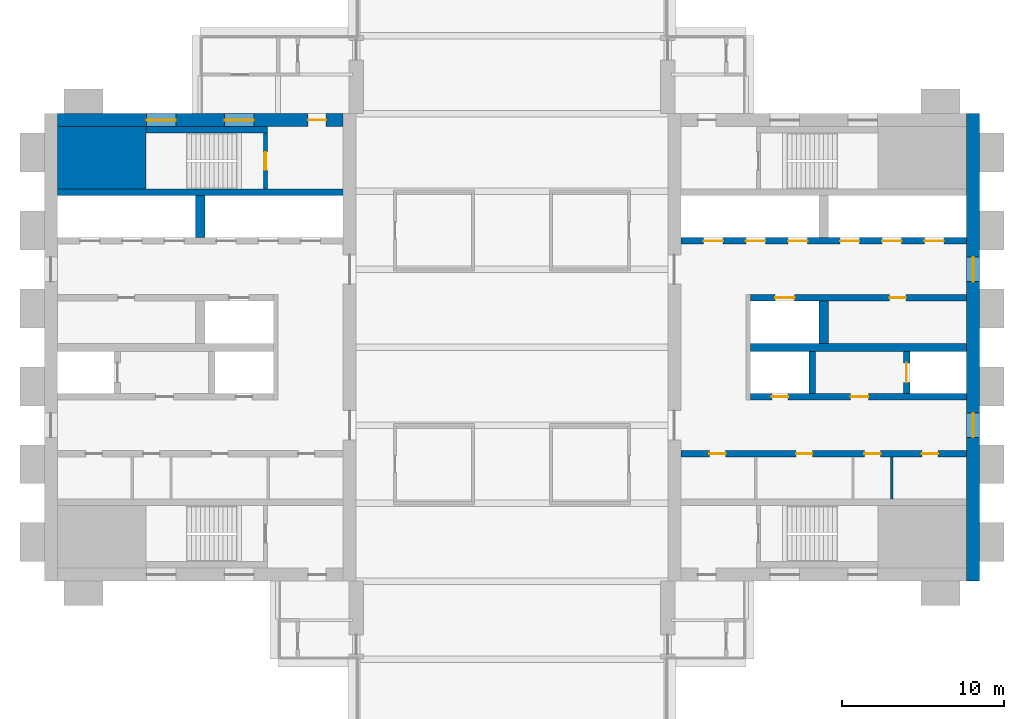
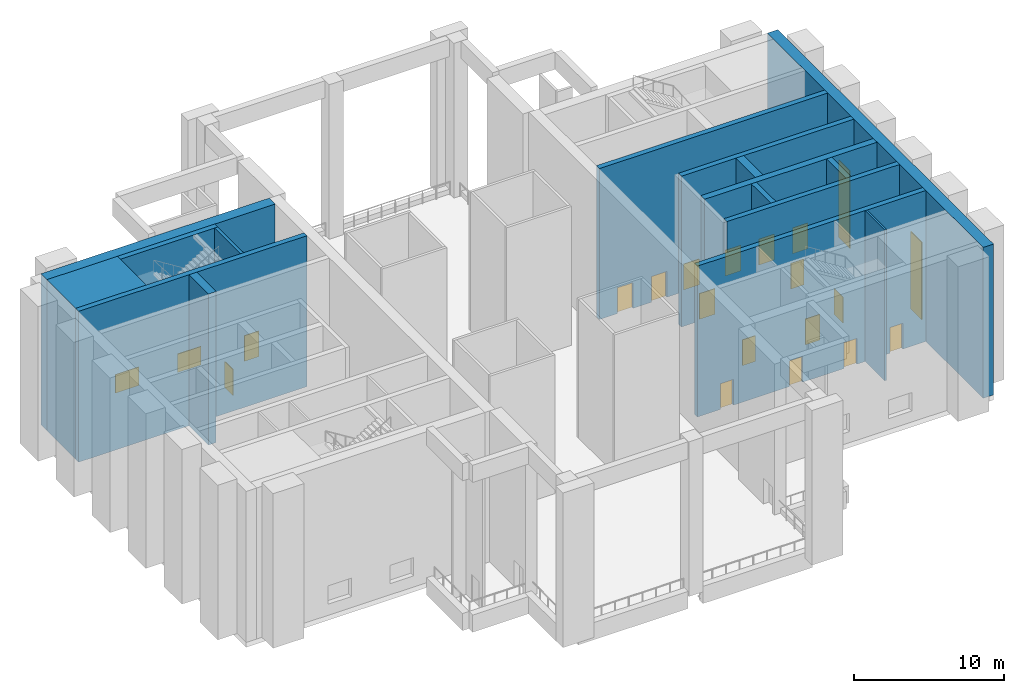
# One storey, part 4 of 8: 17 doors, 16 walls, 4 windows, 21 openings.
"""IFC4 building model written with IfcOpenShell, lengths in metres."""

from ifc_helpers import new_model, si_unit, direction, frame, frame_2d, origin, place, context, subcontext, project, spatial, rectangle, extrude, material, layer, layer_set, type_object, element, fill, save


model = new_model("IFC4")

# Units and contexts
model_context = context("Model", 3, precision=1e-05, world=origin(), true_north=direction((0.0, 1.0)))
body_context = subcontext(model_context, "Body", "Model", "MODEL_VIEW")
ifc_project = project(units=[si_unit("LENGTHUNIT", "METRE"), si_unit("AREAUNIT", "SQUARE_METRE"), si_unit("VOLUMEUNIT", "CUBIC_METRE"), si_unit("PLANEANGLEUNIT", "RADIAN"), si_unit("MASSUNIT", "GRAM", prefix="KILO")], contexts=[model_context])

# Site, building, storey
site_placement = place(None, origin())
site = spatial("IfcSite", under=ifc_project, at=site_placement, CompositionType="ELEMENT")
building_placement = place(site_placement, origin())
building = spatial("IfcBuilding", under=site, at=building_placement, Name="Baori Bourse Tower", CompositionType="ELEMENT")
storey_placement = place(building_placement, frame((0.0, 0.0, 269.699951171875)))
storey = spatial("IfcBuildingStorey", under=building, at=storey_placement, Name="L60", CompositionType="ELEMENT", Elevation=269.699951171875)

# Walls
ifc_material_1 = material(Name="Concrete f'c 50 MPa", Category="concrete")
wall_type_1 = type_object("IfcWallType", Name="Core corner block f'c 50", PredefinedType="SHEAR", material=ifc_material_1)
wall_1_placement = place(storey_placement, frame((0.800048828125, 35.675048828125, 0.0), z_axis=(0.0, 0.0, 1.0), x_axis=(1.0, 0.0, 0.0)))
element("IfcWall", 1, at=wall_1_placement, inside=storey, type_object=wall_type_1, Name="Core wall W22", PredefinedType="SHEAR", context=body_context, shape_type="SweptSolid", body=[
    extrude(rectangle(XDim=5.449951171875, YDim=3.85009765625, at=frame_2d((2.72509765625, 0.0))), origin(), (0.0, 0.0, 1.0), 12.300048828125),
])
ifc_material_2 = material(Name="Blockwork partition", Category="masonry")
ifc_layer_1 = layer(ifc_material_2, 0.14990234375)
ifc_layer_set_1 = layer_set([ifc_layer_1], Name="Core partition 150")
wall_type_2 = type_object("IfcWallType", Name="Core partition 150", PredefinedType="PARTITIONING", material=ifc_layer_set_1)
wall_2_placement = place(storey_placement, frame((52.199951171875, 14.64990234375, 0.0), z_axis=(0.0, 0.0, 1.0), x_axis=(0.0, 1.0, 0.0)))
element("IfcWall", 2, at=wall_2_placement, inside=storey, type_object=wall_type_2, Name="Partition wall E08", PredefinedType="PARTITIONING", context=body_context, shape_type="SweptSolid", body=[
    extrude(rectangle(XDim=2.60009765625, YDim=0.14990234375, at=frame_2d((1.300048828125, 0.0))), origin(), (0.0, 0.0, 1.0), 12.300048828125),
])

# Wall, openings, door, windows
ifc_material_3 = material(Name="Concrete f'c 50 MPa", Category="concrete")
ifc_layer_2 = layer(ifc_material_3, 0.800048828125)
ifc_layer_set_2 = layer_set([ifc_layer_2], Name="Core wall 800 f'c 50")
wall_type_3 = type_object("IfcWallType", Name="Core wall 800 f'c 50", PredefinedType="SHEAR", material=ifc_layer_set_2)
wall_3_placement = place(storey_placement, frame((0.800048828125, 38.0, 0.0), z_axis=(0.0, 0.0, 1.0), x_axis=(1.0, 0.0, 0.0)))
wall_3 = element("IfcWall", 3, at=wall_3_placement, inside=storey, type_object=wall_type_3, Name="Core wall W25", PredefinedType="SHEAR", context=body_context, shape_type="SweptSolid", body=[
    extrude(rectangle(XDim=17.599853515625, YDim=0.800048828125, at=frame_2d((8.7998046875, 0.0))), origin(), (0.0, 0.0, 1.0), 12.300048828125),
])
opening_1_placement = place(wall_3_placement, frame((15.449951171875, 0.0, 0.0)))
opening_1 = element("IfcOpeningElement", 4, at=opening_1_placement, cuts=wall_3, Name="Opening L60-D104", PredefinedType="OPENING", context=body_context, shape_type="SweptSolid", body=[
    extrude(rectangle(XDim=1.10009765625, YDim=2.10009765625, at=frame_2d((0.550048828125, 1.050048828125))), frame((0.0, 0.409912109375, 0.0), z_axis=(0.0, -1.0, 0.0), x_axis=(1.0, 0.0, 0.0)), (0.0, 0.0, 1.0), 0.820068359375),
])
opening_2_placement = place(wall_3_placement, frame((5.5, 0.0, 0.89990234375)))
opening_2 = element("IfcOpeningElement", 5, at=opening_2_placement, cuts=wall_3, Name="Opening L60-KW105", PredefinedType="OPENING", context=body_context, shape_type="SweptSolid", body=[
    extrude(rectangle(XDim=1.800048828125, YDim=1.5, at=frame_2d((0.89990234375, 0.75))), frame((0.0, 0.409912109375, 0.0), z_axis=(0.0, -1.0, 0.0), x_axis=(1.0, 0.0, 0.0)), (0.0, 0.0, 1.0), 0.820068359375),
])
opening_3_placement = place(wall_3_placement, frame((10.300048828125, 0.0, 0.89990234375)))
opening_3 = element("IfcOpeningElement", 6, at=opening_3_placement, cuts=wall_3, Name="Opening L60-KW106", PredefinedType="OPENING", context=body_context, shape_type="SweptSolid", body=[
    extrude(rectangle(XDim=1.800048828125, YDim=1.5, at=frame_2d((0.89990234375, 0.75))), frame((0.0, 0.409912109375, 0.0), z_axis=(0.0, -1.0, 0.0), x_axis=(1.0, 0.0, 0.0)), (0.0, 0.0, 1.0), 0.820068359375),
])
ifc_material_4 = material(Name="Painted steel door", Category="steel")
door_type_1 = type_object("IfcDoorType", Name="Stair door 1100", OperationType="SINGLE_SWING_LEFT", PredefinedType="DOOR", material=ifc_material_4)
door_1_placement = place(opening_1_placement, origin())
door_1 = element("IfcDoor", 7, at=door_1_placement, inside=storey, type_object=door_type_1, Name="Stair vestibule door B W L60", OperationType="SINGLE_SWING_LEFT", OverallHeight=2.10009765625, OverallWidth=1.10009765625, PredefinedType="DOOR", context=body_context, shape_type="SweptSolid", body=[
    extrude(rectangle(XDim=1.10009765625, YDim=2.10009765625, at=frame_2d((0.550048828125, 1.050048828125))), frame((0.0, 0.02490234375, 0.0), z_axis=(0.0, -1.0, 0.0), x_axis=(1.0, 0.0, 0.0)), (0.0, 0.0, 1.0), 0.050048828125),
])
fill(opening_1, door_1)
ifc_material_5 = material(Name="Pale anodised aluminium", Category="aluminium")
window_type_1 = type_object("IfcWindowType", Name="Stair window 1800 x 1500", PartitioningType="SINGLE_PANEL", PredefinedType="WINDOW", material=ifc_material_5)
window_1_placement = place(opening_2_placement, origin())
window_1 = element("IfcWindow", 8, at=window_1_placement, inside=storey, type_object=window_type_1, Name="Stair window W L60 5", OverallHeight=1.5, OverallWidth=1.800048828125, PartitioningType="SINGLE_PANEL", PredefinedType="WINDOW", context=body_context, shape_type="SweptSolid", body=[
    extrude(rectangle(XDim=1.800048828125, YDim=1.5, at=frame_2d((0.89990234375, 0.75))), frame((0.0, 0.030029296875, 0.0), z_axis=(0.0, -1.0, 0.0), x_axis=(1.0, 0.0, 0.0)), (0.0, 0.0, 1.0), 0.06005859375),
])
fill(opening_2, window_1)
window_2_placement = place(opening_3_placement, origin())
window_2 = element("IfcWindow", 9, at=window_2_placement, inside=storey, type_object=window_type_1, Name="Stair window W L60 6", OverallHeight=1.5, OverallWidth=1.800048828125, PartitioningType="SINGLE_PANEL", PredefinedType="WINDOW", context=body_context, shape_type="SweptSolid", body=[
    extrude(rectangle(XDim=1.800048828125, YDim=1.5, at=frame_2d((0.89990234375, 0.75))), frame((0.0, 0.030029296875, 0.0), z_axis=(0.0, -1.0, 0.0), x_axis=(1.0, 0.0, 0.0)), (0.0, 0.0, 1.0), 0.06005859375),
])
fill(opening_3, window_2)

# Wall, openings, windows
wall_4_placement = place(storey_placement, frame((57.199951171875, 38.39990234375, 0.0), z_axis=(0.0, 0.0, 1.0), x_axis=(0.0, -1.0, 0.0)))
wall_4 = element("IfcWall", 10, at=wall_4_placement, inside=storey, type_object=wall_type_3, Name="Core wall E01", PredefinedType="SHEAR", context=body_context, shape_type="SweptSolid", body=[
    extrude(rectangle(XDim=28.7998046875, YDim=0.800048828125, at=frame_2d((14.39990234375, 0.0))), origin(), (0.0, 0.0, 1.0), 12.300048828125),
])
opening_4_placement = place(wall_4_placement, frame((18.449951171875, 0.0, 0.89990234375)))
opening_4 = element("IfcOpeningElement", 11, at=opening_4_placement, cuts=wall_4, Name="Opening L60-KW201", PredefinedType="OPENING", context=body_context, shape_type="SweptSolid", body=[
    extrude(rectangle(XDim=1.5, YDim=6.300048828125, at=frame_2d((0.75, 3.14990234375))), frame((0.0, 0.409912109375, 0.0), z_axis=(0.0, -1.0, 0.0), x_axis=(1.0, 0.0, 0.0)), (0.0, 0.0, 1.0), 0.820068359375),
])
opening_5_placement = place(wall_4_placement, frame((8.85009765625, 0.0, 0.89990234375)))
opening_5 = element("IfcOpeningElement", 12, at=opening_5_placement, cuts=wall_4, Name="Opening L60-KW202", PredefinedType="OPENING", context=body_context, shape_type="SweptSolid", body=[
    extrude(rectangle(XDim=1.5, YDim=6.300048828125, at=frame_2d((0.75, 3.14990234375))), frame((0.0, 0.409912109375, 0.0), z_axis=(0.0, -1.0, 0.0), x_axis=(1.0, 0.0, 0.0)), (0.0, 0.0, 1.0), 0.820068359375),
])
ifc_material_6 = material(Name="Pale anodised aluminium", Category="aluminium")
window_type_2 = type_object("IfcWindowType", Name="Lobby window 1500 x 6300", PartitioningType="SINGLE_PANEL", PredefinedType="WINDOW", material=ifc_material_6)
window_3_placement = place(opening_4_placement, origin())
window_3 = element("IfcWindow", 13, at=window_3_placement, inside=storey, type_object=window_type_2, Name="Outer wall window E L60 1", OverallHeight=6.300048828125, OverallWidth=1.5, PartitioningType="SINGLE_PANEL", PredefinedType="WINDOW", context=body_context, shape_type="SweptSolid", body=[
    extrude(rectangle(XDim=1.5, YDim=6.300048828125, at=frame_2d((0.75, 3.14990234375))), frame((0.0, 0.030029296875, 0.0), z_axis=(0.0, -1.0, 0.0), x_axis=(1.0, 0.0, 0.0)), (0.0, 0.0, 1.0), 0.06005859375),
])
fill(opening_4, window_3)
window_4_placement = place(opening_5_placement, origin())
window_4 = element("IfcWindow", 14, at=window_4_placement, inside=storey, type_object=window_type_2, Name="Outer wall window E L60 2", OverallHeight=6.300048828125, OverallWidth=1.5, PartitioningType="SINGLE_PANEL", PredefinedType="WINDOW", context=body_context, shape_type="SweptSolid", body=[
    extrude(rectangle(XDim=1.5, YDim=6.300048828125, at=frame_2d((0.75, 3.14990234375))), frame((0.0, 0.030029296875, 0.0), z_axis=(0.0, -1.0, 0.0), x_axis=(1.0, 0.0, 0.0)), (0.0, 0.0, 1.0), 0.06005859375),
])
fill(opening_5, window_4)

# Wall, opening, door
ifc_material_7 = material(Name="Concrete f'c 50 MPa", Category="concrete")
ifc_layer_3 = layer(ifc_material_7, 0.25)
ifc_layer_set_3 = layer_set([ifc_layer_3], Name="Shaft wall 250 f'c 50")
wall_type_4 = type_object("IfcWallType", Name="Shaft wall 250 f'c 50", PredefinedType="SHEAR", material=ifc_layer_set_3)
wall_5_placement = place(storey_placement, frame((13.625, 33.75, 0.0), z_axis=(0.0, 0.0, 1.0), x_axis=(0.0, 1.0, 0.0)))
wall_5 = element("IfcWall", 15, at=wall_5_placement, inside=storey, type_object=wall_type_4, Name="Core wall W23", PredefinedType="SHEAR", context=body_context, shape_type="SweptSolid", body=[
    extrude(rectangle(XDim=3.449951171875, YDim=0.25, at=frame_2d((1.72509765625, 0.0))), origin(), (0.0, 0.0, 1.0), 12.300048828125),
])
opening_6_placement = place(wall_5_placement, frame((1.175048828125, 0.0, 0.0)))
opening_6 = element("IfcOpeningElement", 16, at=opening_6_placement, cuts=wall_5, Name="Opening L60-D103", PredefinedType="OPENING", context=body_context, shape_type="SweptSolid", body=[
    extrude(rectangle(XDim=1.10009765625, YDim=2.10009765625, at=frame_2d((0.550048828125, 1.050048828125))), frame((0.0, 0.135009765625, 0.0), z_axis=(0.0, -1.0, 0.0), x_axis=(1.0, 0.0, 0.0)), (0.0, 0.0, 1.0), 0.27001953125),
])
door_2_placement = place(opening_6_placement, origin())
door_2 = element("IfcDoor", 17, at=door_2_placement, inside=storey, type_object=door_type_1, Name="Stair door B W L60", OperationType="SINGLE_SWING_LEFT", OverallHeight=2.10009765625, OverallWidth=1.10009765625, PredefinedType="DOOR", context=body_context, shape_type="SweptSolid", body=[
    extrude(rectangle(XDim=1.10009765625, YDim=2.10009765625, at=frame_2d((0.550048828125, 1.050048828125))), frame((0.0, 0.02490234375, 0.0), z_axis=(0.0, -1.0, 0.0), x_axis=(1.0, 0.0, 0.0)), (0.0, 0.0, 1.0), 0.050048828125),
])
fill(opening_6, door_2)

# Walls
ifc_material_8 = material(Name="Concrete f'c 50 MPa", Category="concrete")
ifc_layer_4 = layer(ifc_material_8, 0.39990234375)
ifc_layer_set_4 = layer_set([ifc_layer_4], Name="Shaft wall 400 f'c 50")
wall_type_5 = type_object("IfcWallType", Name="Shaft wall 400 f'c 50", PredefinedType="SHEAR", material=ifc_layer_set_4)
wall_6_placement = place(storey_placement, frame((0.800048828125, 33.550048828125, 0.0), z_axis=(0.0, 0.0, 1.0), x_axis=(1.0, 0.0, 0.0)))
element("IfcWall", 18, at=wall_6_placement, inside=storey, type_object=wall_type_5, Name="Core wall W21", PredefinedType="SHEAR", context=body_context, shape_type="SweptSolid", body=[
    extrude(rectangle(XDim=17.599853515625, YDim=0.39990234375, at=frame_2d((8.7998046875, 0.0))), origin(), (0.0, 0.0, 1.0), 12.300048828125),
])
wall_7_placement = place(storey_placement, frame((6.25, 37.39990234375, 0.0), z_axis=(0.0, 0.0, 1.0), x_axis=(1.0, 0.0, 0.0)))
element("IfcWall", 19, at=wall_7_placement, inside=storey, type_object=wall_type_5, Name="Core wall W24", PredefinedType="SHEAR", context=body_context, shape_type="SweptSolid", body=[
    extrude(rectangle(XDim=7.5, YDim=0.39990234375, at=frame_2d((3.75, 0.0))), origin(), (0.0, 0.0, 1.0), 12.300048828125),
])

# Wall, openings, doors
wall_8_placement = place(storey_placement, frame((39.199951171875, 17.449951171875, 0.0), z_axis=(0.0, 0.0, 1.0), x_axis=(1.0, 0.0, 0.0)))
wall_8 = element("IfcWall", 20, at=wall_8_placement, inside=storey, type_object=wall_type_5, Name="Core wall E11", PredefinedType="SHEAR", context=body_context, shape_type="SweptSolid", body=[
    extrude(rectangle(XDim=17.60009765625, YDim=0.39990234375, at=frame_2d((8.800048828125, 0.0))), origin(), (0.0, 0.0, 1.0), 12.300048828125),
])
opening_7_placement = place(wall_8_placement, frame((14.83740234375, 0.0, 0.0)))
opening_7 = element("IfcOpeningElement", 21, at=opening_7_placement, cuts=wall_8, Name="Opening L60-D209", PredefinedType="OPENING", context=body_context, shape_type="SweptSolid", body=[
    extrude(rectangle(XDim=1.0, YDim=2.10009765625, at=frame_2d((0.5, 1.050048828125))), frame((0.0, 0.2099609375, 0.0), z_axis=(0.0, -1.0, 0.0), x_axis=(1.0, 0.0, 0.0)), (0.0, 0.0, 1.0), 0.419921875),
])
opening_8_placement = place(wall_8_placement, frame((11.300048828125, 0.0, 0.0)))
opening_8 = element("IfcOpeningElement", 22, at=opening_8_placement, cuts=wall_8, Name="Opening L60-D210", PredefinedType="OPENING", context=body_context, shape_type="SweptSolid", body=[
    extrude(rectangle(XDim=1.0, YDim=2.10009765625, at=frame_2d((0.5, 1.050048828125))), frame((0.0, 0.2099609375, 0.0), z_axis=(0.0, -1.0, 0.0), x_axis=(1.0, 0.0, 0.0)), (0.0, 0.0, 1.0), 0.419921875),
])
opening_9_placement = place(wall_8_placement, frame((7.10009765625, 0.0, 0.0)))
opening_9 = element("IfcOpeningElement", 23, at=opening_9_placement, cuts=wall_8, Name="Opening L60-D211", PredefinedType="OPENING", context=body_context, shape_type="SweptSolid", body=[
    extrude(rectangle(XDim=1.0, YDim=2.10009765625, at=frame_2d((0.5, 1.050048828125))), frame((0.0, 0.2099609375, 0.0), z_axis=(0.0, -1.0, 0.0), x_axis=(1.0, 0.0, 0.0)), (0.0, 0.0, 1.0), 0.419921875),
])
opening_10_placement = place(wall_8_placement, frame((1.762451171875, 0.0, 0.0)))
opening_10 = element("IfcOpeningElement", 24, at=opening_10_placement, cuts=wall_8, Name="Opening L60-D212", PredefinedType="OPENING", context=body_context, shape_type="SweptSolid", body=[
    extrude(rectangle(XDim=1.0, YDim=2.10009765625, at=frame_2d((0.5, 1.050048828125))), frame((0.0, 0.2099609375, 0.0), z_axis=(0.0, -1.0, 0.0), x_axis=(1.0, 0.0, 0.0)), (0.0, 0.0, 1.0), 0.419921875),
])
ifc_material_9 = material(Name="Painted steel door", Category="steel")
door_type_2 = type_object("IfcDoorType", Name="Core door 1000", OperationType="SINGLE_SWING_LEFT", PredefinedType="DOOR", material=ifc_material_9)
door_3_placement = place(opening_7_placement, origin())
door_3 = element("IfcDoor", 25, at=door_3_placement, inside=storey, type_object=door_type_2, Name="Women'S Wc door E L60", OperationType="SINGLE_SWING_LEFT", OverallHeight=2.10009765625, OverallWidth=1.0, PredefinedType="DOOR", context=body_context, shape_type="SweptSolid", body=[
    extrude(rectangle(XDim=1.0, YDim=2.10009765625, at=frame_2d((0.5, 1.050048828125))), frame((0.0, 0.02490234375, 0.0), z_axis=(0.0, -1.0, 0.0), x_axis=(1.0, 0.0, 0.0)), (0.0, 0.0, 1.0), 0.050048828125),
])
fill(opening_7, door_3)
door_4_placement = place(opening_8_placement, origin())
door_4 = element("IfcDoor", 26, at=door_4_placement, inside=storey, type_object=door_type_2, Name="Store Room door E L60", OperationType="SINGLE_SWING_LEFT", OverallHeight=2.10009765625, OverallWidth=1.0, PredefinedType="DOOR", context=body_context, shape_type="SweptSolid", body=[
    extrude(rectangle(XDim=1.0, YDim=2.10009765625, at=frame_2d((0.5, 1.050048828125))), frame((0.0, 0.02490234375, 0.0), z_axis=(0.0, -1.0, 0.0), x_axis=(1.0, 0.0, 0.0)), (0.0, 0.0, 1.0), 0.050048828125),
])
fill(opening_8, door_4)
door_5_placement = place(opening_9_placement, origin())
door_5 = element("IfcDoor", 27, at=door_5_placement, inside=storey, type_object=door_type_2, Name="Men'S Wc door E L60", OperationType="SINGLE_SWING_LEFT", OverallHeight=2.10009765625, OverallWidth=1.0, PredefinedType="DOOR", context=body_context, shape_type="SweptSolid", body=[
    extrude(rectangle(XDim=1.0, YDim=2.10009765625, at=frame_2d((0.5, 1.050048828125))), frame((0.0, 0.02490234375, 0.0), z_axis=(0.0, -1.0, 0.0), x_axis=(1.0, 0.0, 0.0)), (0.0, 0.0, 1.0), 0.050048828125),
])
fill(opening_9, door_5)
door_6_placement = place(opening_10_placement, origin())
door_6 = element("IfcDoor", 28, at=door_6_placement, inside=storey, type_object=door_type_2, Name="Accessible Wc door E L60", OperationType="SINGLE_SWING_LEFT", OverallHeight=2.10009765625, OverallWidth=1.0, PredefinedType="DOOR", context=body_context, shape_type="SweptSolid", body=[
    extrude(rectangle(XDim=1.0, YDim=2.10009765625, at=frame_2d((0.5, 1.050048828125))), frame((0.0, 0.02490234375, 0.0), z_axis=(0.0, -1.0, 0.0), x_axis=(1.0, 0.0, 0.0)), (0.0, 0.0, 1.0), 0.050048828125),
])
fill(opening_10, door_6)

wall_9_placement = place(storey_placement, frame((43.5, 20.949951171875, 0.0), z_axis=(0.0, 0.0, 1.0), x_axis=(1.0, 0.0, 0.0)))
wall_9 = element("IfcWall", 29, at=wall_9_placement, inside=storey, type_object=wall_type_5, Name="Core wall E12", PredefinedType="SHEAR", context=body_context, shape_type="SweptSolid", body=[
    extrude(rectangle(XDim=13.300048828125, YDim=0.39990234375, at=frame_2d((6.64990234375, 0.0))), origin(), (0.0, 0.0, 1.0), 12.300048828125),
])
opening_11_placement = place(wall_9_placement, frame((6.14990234375, 0.0, 0.0)))
opening_11 = element("IfcOpeningElement", 30, at=opening_11_placement, cuts=wall_9, Name="Opening L60-D205", PredefinedType="OPENING", context=body_context, shape_type="SweptSolid", body=[
    extrude(rectangle(XDim=1.10009765625, YDim=2.10009765625, at=frame_2d((0.550048828125, 1.050048828125))), frame((0.0, 0.2099609375, 0.0), z_axis=(0.0, -1.0, 0.0), x_axis=(1.0, 0.0, 0.0)), (0.0, 0.0, 1.0), 0.419921875),
])
opening_12_placement = place(wall_9_placement, frame((1.300048828125, 0.0, 0.0)))
opening_12 = element("IfcOpeningElement", 31, at=opening_12_placement, cuts=wall_9, Name="Opening L60-D206", PredefinedType="OPENING", context=body_context, shape_type="SweptSolid", body=[
    extrude(rectangle(XDim=1.0, YDim=2.10009765625, at=frame_2d((0.5, 1.050048828125))), frame((0.0, 0.2099609375, 0.0), z_axis=(0.0, -1.0, 0.0), x_axis=(1.0, 0.0, 0.0)), (0.0, 0.0, 1.0), 0.419921875),
])
ifc_material_10 = material(Name="Painted steel door", Category="steel")
door_type_3 = type_object("IfcDoorType", Name="Lobby door 1100", OperationType="SINGLE_SWING_LEFT", PredefinedType="DOOR", material=ifc_material_10)
door_7_placement = place(opening_11_placement, origin())
door_7 = element("IfcDoor", 32, at=door_7_placement, inside=storey, type_object=door_type_3, Name="Firefighting lobby door E L60", OperationType="SINGLE_SWING_LEFT", OverallHeight=2.10009765625, OverallWidth=1.10009765625, PredefinedType="DOOR", context=body_context, shape_type="SweptSolid", body=[
    extrude(rectangle(XDim=1.10009765625, YDim=2.10009765625, at=frame_2d((0.550048828125, 1.050048828125))), frame((0.0, 0.02490234375, 0.0), z_axis=(0.0, -1.0, 0.0), x_axis=(1.0, 0.0, 0.0)), (0.0, 0.0, 1.0), 0.050048828125),
])
fill(opening_11, door_7)
ifc_material_11 = material(Name="Painted steel door", Category="steel")
door_type_4 = type_object("IfcDoorType", Name="Shaft door 1000", OperationType="SINGLE_SWING_LEFT", PredefinedType="DOOR", material=ifc_material_11)
door_8_placement = place(opening_12_placement, origin())
door_8 = element("IfcDoor", 33, at=door_8_placement, inside=storey, type_object=door_type_4, Name="Riser room door E L60", OperationType="SINGLE_SWING_LEFT", OverallHeight=2.10009765625, OverallWidth=1.0, PredefinedType="DOOR", context=body_context, shape_type="SweptSolid", body=[
    extrude(rectangle(XDim=1.0, YDim=2.10009765625, at=frame_2d((0.5, 1.050048828125))), frame((0.0, 0.02490234375, 0.0), z_axis=(0.0, -1.0, 0.0), x_axis=(1.0, 0.0, 0.0)), (0.0, 0.0, 1.0), 0.050048828125),
])
fill(opening_12, door_8)

# Wall, opening, door
wall_10_placement = place(storey_placement, frame((53.10009765625, 21.14990234375, 0.0), z_axis=(0.0, 0.0, 1.0), x_axis=(0.0, 1.0, 0.0)))
wall_10 = element("IfcWall", 34, at=wall_10_placement, inside=storey, type_object=wall_type_5, Name="Core wall E14", PredefinedType="SHEAR", context=body_context, shape_type="SweptSolid", body=[
    extrude(rectangle(XDim=2.60009765625, YDim=0.39990234375, at=frame_2d((1.300048828125, 0.0))), origin(), (0.0, 0.0, 1.0), 12.300048828125),
])
opening_13_placement = place(wall_10_placement, frame((0.699951171875, 0.0, 0.0)))
opening_13 = element("IfcOpeningElement", 35, at=opening_13_placement, cuts=wall_10, Name="Opening L60-D221", PredefinedType="OPENING", context=body_context, shape_type="SweptSolid", body=[
    extrude(rectangle(XDim=1.199951171875, YDim=2.10009765625, at=frame_2d((0.60009765625, 1.050048828125))), frame((0.0, 0.2099609375, 0.0), z_axis=(0.0, -1.0, 0.0), x_axis=(1.0, 0.0, 0.0)), (0.0, 0.0, 1.0), 0.419921875),
])
ifc_material_12 = material(Name="Stainless steel door", Category="steel")
door_type_5 = type_object("IfcDoorType", Name="Lift landing door", OperationType="DOUBLE_DOOR_SLIDING", PredefinedType="DOOR", material=ifc_material_12)
door_9_placement = place(opening_13_placement, origin())
door_9 = element("IfcDoor", 36, at=door_9_placement, inside=storey, type_object=door_type_5, Name="Lift landing door FF2 E L60", OperationType="DOUBLE_DOOR_SLIDING", OverallHeight=2.10009765625, OverallWidth=1.199951171875, PredefinedType="DOOR", context=body_context, shape_type="SweptSolid", body=[
    extrude(rectangle(XDim=1.199951171875, YDim=2.10009765625, at=frame_2d((0.60009765625, 1.050048828125))), frame((0.0, 0.02490234375, 0.0), z_axis=(0.0, -1.0, 0.0), x_axis=(1.0, 0.0, 0.0)), (0.0, 0.0, 1.0), 0.050048828125),
])
fill(opening_13, door_9)

# Wall
wall_11_placement = place(storey_placement, frame((47.300048828125, 21.14990234375, 0.0), z_axis=(0.0, 0.0, 1.0), x_axis=(0.0, 1.0, 0.0)))
element("IfcWall", 37, at=wall_11_placement, inside=storey, type_object=wall_type_5, Name="Core wall E15", PredefinedType="SHEAR", context=body_context, shape_type="SweptSolid", body=[
    extrude(rectangle(XDim=2.60009765625, YDim=0.39990234375, at=frame_2d((1.300048828125, 0.0))), origin(), (0.0, 0.0, 1.0), 12.300048828125),
])

# Wall, openings, doors
wall_12_placement = place(storey_placement, frame((43.5, 27.050048828125, 0.0), z_axis=(0.0, 0.0, 1.0), x_axis=(1.0, 0.0, 0.0)))
wall_12 = element("IfcWall", 38, at=wall_12_placement, inside=storey, type_object=wall_type_5, Name="Core wall E18", PredefinedType="SHEAR", context=body_context, shape_type="SweptSolid", body=[
    extrude(rectangle(XDim=13.300048828125, YDim=0.39990234375, at=frame_2d((6.64990234375, 0.0))), origin(), (0.0, 0.0, 1.0), 12.300048828125),
])
opening_14_placement = place(wall_12_placement, frame((8.550048828125, 0.0, 0.0)))
opening_14 = element("IfcOpeningElement", 39, at=opening_14_placement, cuts=wall_12, Name="Opening L60-D213", PredefinedType="OPENING", context=body_context, shape_type="SweptSolid", body=[
    extrude(rectangle(XDim=1.0, YDim=2.10009765625, at=frame_2d((0.5, 1.050048828125))), frame((0.0, 0.2099609375, 0.0), z_axis=(0.0, -1.0, 0.0), x_axis=(1.0, 0.0, 0.0)), (0.0, 0.0, 1.0), 0.419921875),
])
opening_15_placement = place(wall_12_placement, frame((1.5, 0.0, 0.0)))
opening_15 = element("IfcOpeningElement", 40, at=opening_15_placement, cuts=wall_12, Name="Opening L60-D220", PredefinedType="OPENING", context=body_context, shape_type="SweptSolid", body=[
    extrude(rectangle(XDim=1.199951171875, YDim=2.10009765625, at=frame_2d((0.60009765625, 1.050048828125))), frame((0.0, 0.2099609375, 0.0), z_axis=(0.0, -1.0, 0.0), x_axis=(1.0, 0.0, 0.0)), (0.0, 0.0, 1.0), 0.419921875),
])
door_10_placement = place(opening_14_placement, origin())
door_10 = element("IfcDoor", 41, at=door_10_placement, inside=storey, type_object=door_type_2, Name="Recycling Room door E L60", OperationType="SINGLE_SWING_LEFT", OverallHeight=2.10009765625, OverallWidth=1.0, PredefinedType="DOOR", context=body_context, shape_type="SweptSolid", body=[
    extrude(rectangle(XDim=1.0, YDim=2.10009765625, at=frame_2d((0.5, 1.050048828125))), frame((0.0, 0.02490234375, 0.0), z_axis=(0.0, -1.0, 0.0), x_axis=(1.0, 0.0, 0.0)), (0.0, 0.0, 1.0), 0.050048828125),
])
fill(opening_14, door_10)
door_11_placement = place(opening_15_placement, origin())
door_11 = element("IfcDoor", 42, at=door_11_placement, inside=storey, type_object=door_type_5, Name="Lift landing door SV1 E L60", OperationType="DOUBLE_DOOR_SLIDING", OverallHeight=2.10009765625, OverallWidth=1.199951171875, PredefinedType="DOOR", context=body_context, shape_type="SweptSolid", body=[
    extrude(rectangle(XDim=1.199951171875, YDim=2.10009765625, at=frame_2d((0.60009765625, 1.050048828125))), frame((0.0, 0.02490234375, 0.0), z_axis=(0.0, -1.0, 0.0), x_axis=(1.0, 0.0, 0.0)), (0.0, 0.0, 1.0), 0.050048828125),
])
fill(opening_15, door_11)

wall_13_placement = place(storey_placement, frame((39.199951171875, 30.550048828125, 0.0), z_axis=(0.0, 0.0, 1.0), x_axis=(1.0, 0.0, 0.0)))
wall_13 = element("IfcWall", 43, at=wall_13_placement, inside=storey, type_object=wall_type_5, Name="Core wall E19", PredefinedType="SHEAR", context=body_context, shape_type="SweptSolid", body=[
    extrude(rectangle(XDim=17.60009765625, YDim=0.39990234375, at=frame_2d((8.800048828125, 0.0))), origin(), (0.0, 0.0, 1.0), 12.300048828125),
])
opening_16_placement = place(wall_13_placement, frame((15.0, 0.0, 0.0)))
opening_16 = element("IfcOpeningElement", 44, at=opening_16_placement, cuts=wall_13, Name="Opening L60-D214", PredefinedType="OPENING", context=body_context, shape_type="SweptSolid", body=[
    extrude(rectangle(XDim=1.199951171875, YDim=2.10009765625, at=frame_2d((0.60009765625, 1.050048828125))), frame((0.0, 0.2099609375, 0.0), z_axis=(0.0, -1.0, 0.0), x_axis=(1.0, 0.0, 0.0)), (0.0, 0.0, 1.0), 0.419921875),
])
opening_17_placement = place(wall_13_placement, frame((12.39990234375, 0.0, 0.0)))
opening_17 = element("IfcOpeningElement", 45, at=opening_17_placement, cuts=wall_13, Name="Opening L60-D215", PredefinedType="OPENING", context=body_context, shape_type="SweptSolid", body=[
    extrude(rectangle(XDim=1.199951171875, YDim=2.10009765625, at=frame_2d((0.60009765625, 1.050048828125))), frame((0.0, 0.2099609375, 0.0), z_axis=(0.0, -1.0, 0.0), x_axis=(1.0, 0.0, 0.0)), (0.0, 0.0, 1.0), 0.419921875),
])
opening_18_placement = place(wall_13_placement, frame((9.800048828125, 0.0, 0.0)))
opening_18 = element("IfcOpeningElement", 46, at=opening_18_placement, cuts=wall_13, Name="Opening L60-D216", PredefinedType="OPENING", context=body_context, shape_type="SweptSolid", body=[
    extrude(rectangle(XDim=1.199951171875, YDim=2.10009765625, at=frame_2d((0.60009765625, 1.050048828125))), frame((0.0, 0.2099609375, 0.0), z_axis=(0.0, -1.0, 0.0), x_axis=(1.0, 0.0, 0.0)), (0.0, 0.0, 1.0), 0.419921875),
])
opening_19_placement = place(wall_13_placement, frame((6.60009765625, 0.0, 0.0)))
opening_19 = element("IfcOpeningElement", 47, at=opening_19_placement, cuts=wall_13, Name="Opening L60-D217", PredefinedType="OPENING", context=body_context, shape_type="SweptSolid", body=[
    extrude(rectangle(XDim=1.199951171875, YDim=2.10009765625, at=frame_2d((0.60009765625, 1.050048828125))), frame((0.0, 0.2099609375, 0.0), z_axis=(0.0, -1.0, 0.0), x_axis=(1.0, 0.0, 0.0)), (0.0, 0.0, 1.0), 0.419921875),
])
opening_20_placement = place(wall_13_placement, frame((4.0, 0.0, 0.0)))
opening_20 = element("IfcOpeningElement", 48, at=opening_20_placement, cuts=wall_13, Name="Opening L60-D218", PredefinedType="OPENING", context=body_context, shape_type="SweptSolid", body=[
    extrude(rectangle(XDim=1.199951171875, YDim=2.10009765625, at=frame_2d((0.60009765625, 1.050048828125))), frame((0.0, 0.2099609375, 0.0), z_axis=(0.0, -1.0, 0.0), x_axis=(1.0, 0.0, 0.0)), (0.0, 0.0, 1.0), 0.419921875),
])
opening_21_placement = place(wall_13_placement, frame((1.39990234375, 0.0, 0.0)))
opening_21 = element("IfcOpeningElement", 49, at=opening_21_placement, cuts=wall_13, Name="Opening L60-D219", PredefinedType="OPENING", context=body_context, shape_type="SweptSolid", body=[
    extrude(rectangle(XDim=1.199951171875, YDim=2.10009765625, at=frame_2d((0.60009765625, 1.050048828125))), frame((0.0, 0.2099609375, 0.0), z_axis=(0.0, -1.0, 0.0), x_axis=(1.0, 0.0, 0.0)), (0.0, 0.0, 1.0), 0.419921875),
])
door_12_placement = place(opening_16_placement, origin())
door_12 = element("IfcDoor", 50, at=door_12_placement, inside=storey, type_object=door_type_5, Name="Lift landing door HR1 E L60", OperationType="DOUBLE_DOOR_SLIDING", OverallHeight=2.10009765625, OverallWidth=1.199951171875, PredefinedType="DOOR", context=body_context, shape_type="SweptSolid", body=[
    extrude(rectangle(XDim=1.199951171875, YDim=2.10009765625, at=frame_2d((0.60009765625, 1.050048828125))), frame((0.0, 0.02490234375, 0.0), z_axis=(0.0, -1.0, 0.0), x_axis=(1.0, 0.0, 0.0)), (0.0, 0.0, 1.0), 0.050048828125),
])
fill(opening_16, door_12)
door_13_placement = place(opening_17_placement, origin())
door_13 = element("IfcDoor", 51, at=door_13_placement, inside=storey, type_object=door_type_5, Name="Lift landing door HR2 E L60", OperationType="DOUBLE_DOOR_SLIDING", OverallHeight=2.10009765625, OverallWidth=1.199951171875, PredefinedType="DOOR", context=body_context, shape_type="SweptSolid", body=[
    extrude(rectangle(XDim=1.199951171875, YDim=2.10009765625, at=frame_2d((0.60009765625, 1.050048828125))), frame((0.0, 0.02490234375, 0.0), z_axis=(0.0, -1.0, 0.0), x_axis=(1.0, 0.0, 0.0)), (0.0, 0.0, 1.0), 0.050048828125),
])
fill(opening_17, door_13)
door_14_placement = place(opening_18_placement, origin())
door_14 = element("IfcDoor", 52, at=door_14_placement, inside=storey, type_object=door_type_5, Name="Lift landing door HR3 E L60", OperationType="DOUBLE_DOOR_SLIDING", OverallHeight=2.10009765625, OverallWidth=1.199951171875, PredefinedType="DOOR", context=body_context, shape_type="SweptSolid", body=[
    extrude(rectangle(XDim=1.199951171875, YDim=2.10009765625, at=frame_2d((0.60009765625, 1.050048828125))), frame((0.0, 0.02490234375, 0.0), z_axis=(0.0, -1.0, 0.0), x_axis=(1.0, 0.0, 0.0)), (0.0, 0.0, 1.0), 0.050048828125),
])
fill(opening_18, door_14)
door_15_placement = place(opening_19_placement, origin())
door_15 = element("IfcDoor", 53, at=door_15_placement, inside=storey, type_object=door_type_5, Name="Lift landing door HR4 E L60", OperationType="DOUBLE_DOOR_SLIDING", OverallHeight=2.10009765625, OverallWidth=1.199951171875, PredefinedType="DOOR", context=body_context, shape_type="SweptSolid", body=[
    extrude(rectangle(XDim=1.199951171875, YDim=2.10009765625, at=frame_2d((0.60009765625, 1.050048828125))), frame((0.0, 0.02490234375, 0.0), z_axis=(0.0, -1.0, 0.0), x_axis=(1.0, 0.0, 0.0)), (0.0, 0.0, 1.0), 0.050048828125),
])
fill(opening_19, door_15)
door_16_placement = place(opening_20_placement, origin())
door_16 = element("IfcDoor", 54, at=door_16_placement, inside=storey, type_object=door_type_5, Name="Lift landing door HR5 E L60", OperationType="DOUBLE_DOOR_SLIDING", OverallHeight=2.10009765625, OverallWidth=1.199951171875, PredefinedType="DOOR", context=body_context, shape_type="SweptSolid", body=[
    extrude(rectangle(XDim=1.199951171875, YDim=2.10009765625, at=frame_2d((0.60009765625, 1.050048828125))), frame((0.0, 0.02490234375, 0.0), z_axis=(0.0, -1.0, 0.0), x_axis=(1.0, 0.0, 0.0)), (0.0, 0.0, 1.0), 0.050048828125),
])
fill(opening_20, door_16)
door_17_placement = place(opening_21_placement, origin())
door_17 = element("IfcDoor", 55, at=door_17_placement, inside=storey, type_object=door_type_5, Name="Lift landing door HR6 E L60", OperationType="DOUBLE_DOOR_SLIDING", OverallHeight=2.10009765625, OverallWidth=1.199951171875, PredefinedType="DOOR", context=body_context, shape_type="SweptSolid", body=[
    extrude(rectangle(XDim=1.199951171875, YDim=2.10009765625, at=frame_2d((0.60009765625, 1.050048828125))), frame((0.0, 0.02490234375, 0.0), z_axis=(0.0, -1.0, 0.0), x_axis=(1.0, 0.0, 0.0)), (0.0, 0.0, 1.0), 0.050048828125),
])
fill(opening_21, door_17)

# Walls
ifc_material_13 = material(Name="Concrete f'c 50 MPa", Category="concrete")
ifc_layer_5 = layer(ifc_material_13, 0.5)
ifc_layer_set_5 = layer_set([ifc_layer_5], Name="Shaft wall 500 f'c 50")
wall_type_6 = type_object("IfcWallType", Name="Shaft wall 500 f'c 50", PredefinedType="SHEAR", material=ifc_layer_set_5)
wall_14_placement = place(storey_placement, frame((43.5, 24.0, 0.0), z_axis=(0.0, 0.0, 1.0), x_axis=(1.0, 0.0, 0.0)))
element("IfcWall", 56, at=wall_14_placement, inside=storey, type_object=wall_type_6, Name="Core wall E16", PredefinedType="SHEAR", context=body_context, shape_type="SweptSolid", body=[
    extrude(rectangle(XDim=13.300048828125, YDim=0.5, at=frame_2d((6.64990234375, 0.0))), origin(), (0.0, 0.0, 1.0), 12.300048828125),
])
ifc_material_14 = material(Name="Concrete f'c 50 MPa", Category="concrete")
ifc_layer_6 = layer(ifc_material_14, 0.60009765625)
ifc_layer_set_6 = layer_set([ifc_layer_6], Name="Shaft wall 600 f'c 50")
wall_type_7 = type_object("IfcWallType", Name="Shaft wall 600 f'c 50", PredefinedType="SHEAR", material=ifc_layer_set_6)
for number, where, z_axis, x_axis, name in (
    (57, (9.60009765625, 30.75, 0.0), (0.0, 0.0, 1.0), (0.0, 1.0, 0.0), "Core wall W20"),
    (58, (48.0, 24.25, 0.0), (0.0, 0.0, 1.0), (0.0, 1.0, 0.0), "Core wall E17"),
):
    element("IfcWall", number, at=place(storey_placement, frame(where, z_axis=z_axis, x_axis=x_axis)), inside=storey, type_object=wall_type_7, Name=name, PredefinedType="SHEAR", context=body_context, shape_type="SweptSolid", body=[
        extrude(rectangle(XDim=2.60009765625, YDim=0.60009765625, at=frame_2d((1.300048828125, 0.0))), origin(), (0.0, 0.0, 1.0), 12.300048828125),
    ])

save(model, "model.ifc")
